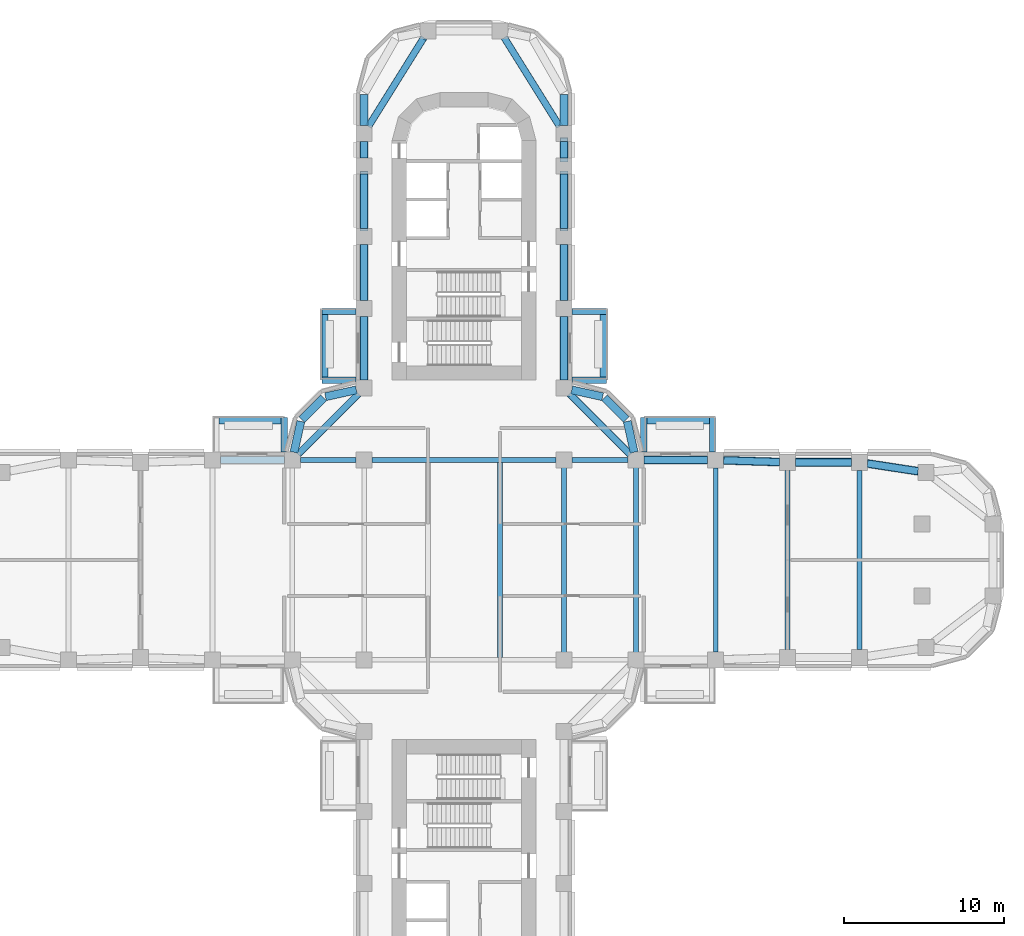
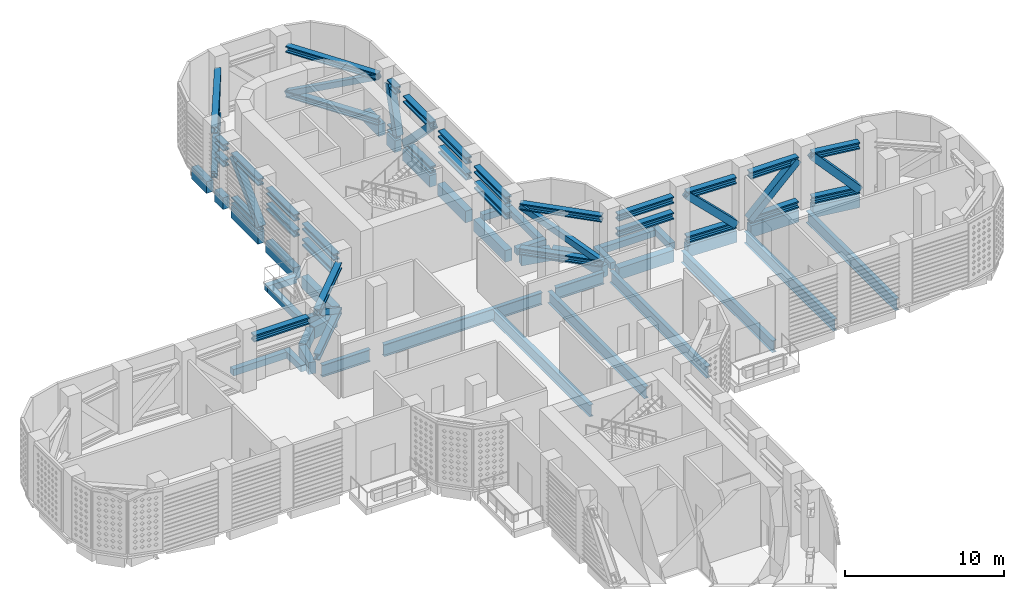
# One storey, part 3 of 20: 43 members, 40 beams.
"""IFC4 building model written with IfcOpenShell, lengths in metres."""

from ifc_helpers import new_model, si_unit, direction, frame, origin, origin_2d, place, context, subcontext, project, spatial, rectangle, hollow_rectangle, i_section, extrude, material, material_profile, profile_set, type_object, element, save


model = new_model("IFC4")

# Units and contexts
model_context = context("Model", 3, precision=1e-05, world=origin(), true_north=direction((0.0, 1.0)))
body_context = subcontext(model_context, "Body", "Model", "MODEL_VIEW")
ifc_project = project(units=[si_unit("LENGTHUNIT", "METRE"), si_unit("AREAUNIT", "SQUARE_METRE"), si_unit("VOLUMEUNIT", "CUBIC_METRE"), si_unit("PLANEANGLEUNIT", "RADIAN"), si_unit("MASSUNIT", "GRAM", prefix="KILO")], contexts=[model_context])

# Site, building, storey
site_placement = place(None, origin())
site = spatial("IfcSite", under=ifc_project, at=site_placement, CompositionType="ELEMENT")
building_placement = place(site_placement, origin())
building = spatial("IfcBuilding", under=site, at=building_placement, Name="Zarbagh Exchange Tower", CompositionType="ELEMENT")
storey_placement = place(building_placement, frame((0.0, 0.0, 81.60009765625)))
storey = spatial("IfcBuildingStorey", under=building, at=storey_placement, Name="L18", CompositionType="ELEMENT", Elevation=81.60009765625)

# Members
ifc_material_1 = material(Name="Steel ASTM A992 Gr 50", Category="steel")
ifc_material_profile_1 = material_profile(ifc_material_1, i_section(OverallWidth=0.4267578125, OverallDepth=0.482666015625, WebThickness=0.05126953125, FlangeThickness=0.08154296875, at=origin_2d()), Name="W14X455")
ifc_profile_set_1 = profile_set([ifc_material_profile_1], Name="Steel ASTM A992 Gr 50")
member_type_1 = type_object("IfcMemberType", Name="Belt truss chord W14X455", PredefinedType="CHORD", material=ifc_profile_set_1)
for number, where, z_axis, x_axis, name in (
    (1, (-10.396484375, 6.603515625, 0.2412109375), (0.707106781187, 0.707106781187, 0.0), (-0.707106781187, 0.707106781187, 0.0), "Belt truss chord"),
    (2, (-10.396484375, 6.603515625, 3.688720703125), (0.707106781187, 0.707106781187, 0.0), (-0.707106781187, 0.707106781187, 0.0), "Belt truss chord"),
):
    element("IfcMember", number, at=place(storey_placement, frame(where, z_axis=z_axis, x_axis=x_axis)), inside=storey, type_object=member_type_1, Name=name, PredefinedType="CHORD", context=body_context, shape_type="SweptSolid", body=[
        extrude(i_section(OverallWidth=0.4267578125, OverallDepth=0.482666015625, WebThickness=0.05126953125, FlangeThickness=0.08154296875, at=origin_2d()), origin(), (0.0, 0.0, 1.0), 5.364013671875),
    ])
for number, where, z_axis, x_axis, name in (
    (3, (-5.9853515625, 27.124267578125, 0.2412109375), (0.529423041445, 0.848357968777, 0.0), (-0.848357968777, 0.529423041445, 0.0), "Belt truss chord"),
    (4, (-5.9853515625, 27.124267578125, 3.688720703125), (0.529423041445, 0.848357968777, 0.0), (-0.848357968777, 0.529423041445, 0.0), "Belt truss chord"),
    (5, (2.5146484375, 32.685791015625, 0.2412109375), (0.529423041445, -0.848357968777, 0.0), (0.848357968777, 0.529423041445, 0.0), "Belt truss chord"),
    (6, (2.5146484375, 32.685791015625, 3.688720703125), (0.529423041445, -0.848357968777, 0.0), (0.848357968777, 0.529423041445, 0.0), "Belt truss chord"),
):
    element("IfcMember", number, at=place(storey_placement, frame(where, z_axis=z_axis, x_axis=x_axis)), inside=storey, type_object=member_type_1, Name=name, PredefinedType="CHORD", context=body_context, shape_type="SweptSolid", body=[
        extrude(i_section(OverallWidth=0.4267578125, OverallDepth=0.482666015625, WebThickness=0.05126953125, FlangeThickness=0.08154296875, at=origin_2d()), origin(), (0.0, 0.0, 1.0), 6.5556640625),
    ])
for number, where, z_axis, x_axis, name in (
    (7, (6.603515625, 10.396484375, 0.2412109375), (0.707106781187, -0.707106781187, 0.0), (0.707106781187, 0.707106781187, 0.0), "Belt truss chord"),
    (8, (6.603515625, 10.396484375, 3.688720703125), (0.707106781187, -0.707106781187, 0.0), (0.707106781187, 0.707106781187, 0.0), "Belt truss chord"),
):
    element("IfcMember", number, at=place(storey_placement, frame(where, z_axis=z_axis, x_axis=x_axis)), inside=storey, type_object=member_type_1, Name=name, PredefinedType="CHORD", context=body_context, shape_type="SweptSolid", body=[
        extrude(i_section(OverallWidth=0.4267578125, OverallDepth=0.482666015625, WebThickness=0.05126953125, FlangeThickness=0.08154296875, at=origin_2d()), origin(), (0.0, 0.0, 1.0), 5.364013671875),
    ])
ifc_material_2 = material(Name="Steel ASTM A500 Gr C", Category="steel")
ifc_material_profile_2 = material_profile(ifc_material_2, hollow_rectangle(XDim=0.406494140625, YDim=0.406494140625, WallThickness=0.017578125, at=origin_2d()), Name="HSS16X16X3/4")
ifc_profile_set_2 = profile_set([ifc_material_profile_2], Name="Steel ASTM A500 Gr C")
member_type_2 = type_object("IfcMemberType", Name="Belt truss diagonal HSS16X16X3/4", PredefinedType="BRACE", material=ifc_profile_set_2)
member_1_placement = place(storey_placement, frame((-6.603515625, 10.396484375, 0.2412109375), z_axis=(-0.594844341876, -0.594844341876, 0.540666642097), x_axis=(0.707106781187, -0.707106781187, 0.0)))
element("IfcMember", 9, at=member_1_placement, inside=storey, type_object=member_type_2, Name="Belt truss diagonal", PredefinedType="BRACE", context=body_context, shape_type="SweptSolid", body=[
    extrude(hollow_rectangle(XDim=0.406494140625, YDim=0.406494140625, WallThickness=0.017578125, at=origin_2d()), origin(), (0.0, 0.0, 1.0), 6.37646484375),
])
for number, where, z_axis, x_axis, name in (
    (10, (-5.9853515625, 27.124267578125, 0.2412109375), (0.468579243909, 0.750860662369, 0.465447911032), (-0.848357968777, 0.529423041445, 0.0), "Belt truss diagonal"),
    (11, (2.5146484375, 32.685791015625, 0.2412109375), (0.468579243909, -0.750860662369, 0.465447911032), (0.848357968777, 0.529423041445, 0.0), "Belt truss diagonal"),
):
    element("IfcMember", number, at=place(storey_placement, frame(where, z_axis=z_axis, x_axis=x_axis)), inside=storey, type_object=member_type_2, Name=name, PredefinedType="BRACE", context=body_context, shape_type="SweptSolid", body=[
        extrude(hollow_rectangle(XDim=0.406494140625, YDim=0.406494140625, WallThickness=0.017578125, at=origin_2d()), origin(), (0.0, 0.0, 1.0), 7.406982421875),
    ])
member_2_placement = place(storey_placement, frame((10.396484375, 6.603515625, 0.2412109375), z_axis=(-0.594844341876, 0.594844341876, 0.540666642097), x_axis=(-0.707106781187, -0.707106781187, 0.0)))
element("IfcMember", 12, at=member_2_placement, inside=storey, type_object=member_type_2, Name="Belt truss diagonal", PredefinedType="BRACE", context=body_context, shape_type="SweptSolid", body=[
    extrude(hollow_rectangle(XDim=0.406494140625, YDim=0.406494140625, WallThickness=0.017578125, at=origin_2d()), origin(), (0.0, 0.0, 1.0), 6.37646484375),
])

# Beams
ifc_material_profile_3 = material_profile(ifc_material_1, i_section(OverallWidth=0.3046875, OverallDepth=0.904296875, WebThickness=0.01513671875, FlangeThickness=0.02001953125, at=origin_2d()), Name="W36X135")
ifc_profile_set_3 = profile_set([ifc_material_profile_3], Name="Steel ASTM A992 Gr 50")
beam_type_1 = type_object("IfcBeamType", Name="Floor beam W36X135", PredefinedType="BEAM", material=ifc_profile_set_3)
for number, where, z_axis, x_axis, name in (
    (13, (2.25, -6.09765625, -0.602294921875), (0.0, 1.0, 0.0), (-1.0, 0.0, 0.0), "Steel floor beam"),
    (14, (6.25, -6.09765625, -0.602294921875), (0.0, 1.0, 0.0), (-1.0, 0.0, 0.0), "Steel floor beam"),
    (15, (10.75, -6.09765625, -0.602294921875), (0.0, 1.0, 0.0), (-1.0, 0.0, 0.0), "Steel floor beam"),
):
    element("IfcBeam", number, at=place(storey_placement, frame(where, z_axis=z_axis, x_axis=x_axis)), inside=storey, type_object=beam_type_1, Name=name, PredefinedType="BEAM", context=body_context, shape_type="SweptSolid", body=[
        extrude(i_section(OverallWidth=0.3046875, OverallDepth=0.904296875, WebThickness=0.01513671875, FlangeThickness=0.02001953125, at=origin_2d()), origin(), (0.0, 0.0, 1.0), 12.1953125),
    ])
beam_1_placement = place(storey_placement, frame((15.75, -5.75, -0.602294921875), z_axis=(0.0, 1.0, 0.0), x_axis=(-1.0, 0.0, 0.0)))
element("IfcBeam", 16, at=beam_1_placement, inside=storey, type_object=beam_type_1, Name="Steel floor beam", PredefinedType="BEAM", context=body_context, shape_type="SweptSolid", body=[
    extrude(i_section(OverallWidth=0.3046875, OverallDepth=0.904296875, WebThickness=0.01513671875, FlangeThickness=0.02001953125, at=origin_2d()), origin(), (0.0, 0.0, 1.0), 11.5),
])
for number, where, z_axis, x_axis, name in (
    (17, (20.25, -5.610107421875, -0.602294921875), (0.0, 1.0, 0.0), (-1.0, 0.0, 0.0), "Steel floor beam"),
    (18, (24.75, -5.610107421875, -0.602294921875), (0.0, 1.0, 0.0), (-1.0, 0.0, 0.0), "Steel floor beam"),
):
    element("IfcBeam", number, at=place(storey_placement, frame(where, z_axis=z_axis, x_axis=x_axis)), inside=storey, type_object=beam_type_1, Name=name, PredefinedType="BEAM", context=body_context, shape_type="SweptSolid", body=[
        extrude(i_section(OverallWidth=0.3046875, OverallDepth=0.904296875, WebThickness=0.01513671875, FlangeThickness=0.02001953125, at=origin_2d()), origin(), (0.0, 0.0, 1.0), 11.22021484375),
    ])
ifc_material_profile_4 = material_profile(ifc_material_1, i_section(OverallWidth=0.3046875, OverallDepth=0.91943359375, WebThickness=0.017333984375, FlangeThickness=0.02783203125, at=origin_2d()), Name="W36X170")
ifc_profile_set_4 = profile_set([ifc_material_profile_4], Name="Steel ASTM A992 Gr 50")
beam_type_2 = type_object("IfcBeamType", Name="Floor girder W36X170", PredefinedType="BEAM", material=ifc_profile_set_4)
beam_2_placement = place(storey_placement, frame((-10.25, 6.25, -0.60986328125), z_axis=(1.0, 0.0, 0.0), x_axis=(0.0, 1.0, 0.0)))
element("IfcBeam", 19, at=beam_2_placement, inside=storey, type_object=beam_type_2, Name="Steel girder", PredefinedType="BEAM", context=body_context, shape_type="SweptSolid", body=[
    extrude(i_section(OverallWidth=0.3046875, OverallDepth=0.91943359375, WebThickness=0.017333984375, FlangeThickness=0.02783203125, at=origin_2d()), origin(), (0.0, 0.0, 1.0), 3.5),
])
beam_3_placement = place(storey_placement, frame((-5.75, 6.25, -0.60986328125), z_axis=(1.0, 0.0, 0.0), x_axis=(0.0, 1.0, 0.0)))
element("IfcBeam", 20, at=beam_3_placement, inside=storey, type_object=beam_type_2, Name="Steel girder", PredefinedType="BEAM", context=body_context, shape_type="SweptSolid", body=[
    extrude(i_section(OverallWidth=0.3046875, OverallDepth=0.91943359375, WebThickness=0.017333984375, FlangeThickness=0.02783203125, at=origin_2d()), origin(), (0.0, 0.0, 1.0), 11.5),
])
beam_4_placement = place(storey_placement, frame((6.75, 6.25, -0.60986328125), z_axis=(1.0, 0.0, 0.0), x_axis=(0.0, 1.0, 0.0)))
element("IfcBeam", 21, at=beam_4_placement, inside=storey, type_object=beam_type_2, Name="Steel girder", PredefinedType="BEAM", context=body_context, shape_type="SweptSolid", body=[
    extrude(i_section(OverallWidth=0.3046875, OverallDepth=0.91943359375, WebThickness=0.017333984375, FlangeThickness=0.02783203125, at=origin_2d()), origin(), (0.0, 0.0, 1.0), 3.5),
])

# Members
ifc_material_profile_5 = material_profile(ifc_material_1, i_section(OverallWidth=0.43701171875, OverallDepth=0.51318359375, WebThickness=0.060546875, FlangeThickness=0.096923828125, at=origin_2d()), Name="W14X550")
ifc_profile_set_5 = profile_set([ifc_material_profile_5], Name="Steel ASTM A992 Gr 50")
member_type_3 = type_object("IfcMemberType", Name="Outrigger truss chord W14X550", PredefinedType="CHORD", material=ifc_profile_set_5)
for number, where, z_axis, x_axis, name in (
    (22, (-15.25, 6.25, 3.67333984375), (1.0, 0.0, 0.0), (0.0, 1.0, 0.0), "Outrigger truss chord"),
    (23, (-6.25, 11.25, 2.45654296875), (0.0, 1.0, 0.0), (-1.0, 0.0, 0.0), "Outrigger truss chord"),
    (24, (-6.25, 11.25, 3.67333984375), (0.0, 1.0, 0.0), (-1.0, 0.0, 0.0), "Outrigger truss chord"),
):
    element("IfcMember", number, at=place(storey_placement, frame(where, z_axis=z_axis, x_axis=x_axis)), inside=storey, type_object=member_type_3, Name=name, PredefinedType="CHORD", context=body_context, shape_type="SweptSolid", body=[
        extrude(i_section(OverallWidth=0.43701171875, OverallDepth=0.51318359375, WebThickness=0.060546875, FlangeThickness=0.096923828125, at=origin_2d()), origin(), (0.0, 0.0, 1.0), 4.0),
    ])
for number, where, z_axis, x_axis, name in (
    (25, (-6.25, 16.25, 2.45654296875), (0.0, 1.0, 0.0), (-1.0, 0.0, 0.0), "Outrigger truss chord"),
    (26, (-6.25, 16.25, 3.67333984375), (0.0, 1.0, 0.0), (-1.0, 0.0, 0.0), "Outrigger truss chord"),
):
    element("IfcMember", number, at=place(storey_placement, frame(where, z_axis=z_axis, x_axis=x_axis)), inside=storey, type_object=member_type_3, Name=name, PredefinedType="CHORD", context=body_context, shape_type="SweptSolid", body=[
        extrude(i_section(OverallWidth=0.43701171875, OverallDepth=0.51318359375, WebThickness=0.060546875, FlangeThickness=0.096923828125, at=origin_2d()), origin(), (0.0, 0.0, 1.0), 3.5),
    ])
for number, where, z_axis, x_axis, name in (
    (27, (-6.25, 20.75, 0.256591796875), (0.0, 1.0, 0.0), (-1.0, 0.0, 0.0), "Outrigger truss chord"),
    (28, (-6.25, 20.75, 3.67333984375), (0.0, 1.0, 0.0), (-1.0, 0.0, 0.0), "Outrigger truss chord"),
):
    element("IfcMember", number, at=place(storey_placement, frame(where, z_axis=z_axis, x_axis=x_axis)), inside=storey, type_object=member_type_3, Name=name, PredefinedType="CHORD", context=body_context, shape_type="SweptSolid", body=[
        extrude(i_section(OverallWidth=0.43701171875, OverallDepth=0.51318359375, WebThickness=0.060546875, FlangeThickness=0.096923828125, at=origin_2d()), origin(), (0.0, 0.0, 1.0), 3.39990234375),
    ])
for number, where, z_axis, x_axis, name in (
    (29, (-6.25, 25.14990234375, 2.45654296875), (0.0, 1.0, 0.0), (-1.0, 0.0, 0.0), "Outrigger truss chord"),
    (30, (-6.25, 25.14990234375, 3.67333984375), (0.0, 1.0, 0.0), (-1.0, 0.0, 0.0), "Outrigger truss chord"),
    (31, (6.25, 26.199951171875, 0.256591796875), (0.0, -1.0, 0.0), (1.0, 0.0, 0.0), "Outrigger truss chord"),
    (32, (6.25, 26.199951171875, 3.67333984375), (0.0, -1.0, 0.0), (1.0, 0.0, 0.0), "Outrigger truss chord"),
):
    element("IfcMember", number, at=place(storey_placement, frame(where, z_axis=z_axis, x_axis=x_axis)), inside=storey, type_object=member_type_3, Name=name, PredefinedType="CHORD", context=body_context, shape_type="SweptSolid", body=[
        extrude(i_section(OverallWidth=0.43701171875, OverallDepth=0.51318359375, WebThickness=0.060546875, FlangeThickness=0.096923828125, at=origin_2d()), origin(), (0.0, 0.0, 1.0), 1.050048828125),
    ])
for number, where, z_axis, x_axis, name in (
    (33, (6.25, 24.14990234375, 0.256591796875), (0.0, -1.0, 0.0), (1.0, 0.0, 0.0), "Outrigger truss chord"),
    (34, (6.25, 24.14990234375, 3.67333984375), (0.0, -1.0, 0.0), (1.0, 0.0, 0.0), "Outrigger truss chord"),
):
    element("IfcMember", number, at=place(storey_placement, frame(where, z_axis=z_axis, x_axis=x_axis)), inside=storey, type_object=member_type_3, Name=name, PredefinedType="CHORD", context=body_context, shape_type="SweptSolid", body=[
        extrude(i_section(OverallWidth=0.43701171875, OverallDepth=0.51318359375, WebThickness=0.060546875, FlangeThickness=0.096923828125, at=origin_2d()), origin(), (0.0, 0.0, 1.0), 3.39990234375),
    ])
for number, where, z_axis, x_axis, name in (
    (35, (6.25, 19.75, 2.45654296875), (0.0, -1.0, 0.0), (1.0, 0.0, 0.0), "Outrigger truss chord"),
    (36, (6.25, 19.75, 3.67333984375), (0.0, -1.0, 0.0), (1.0, 0.0, 0.0), "Outrigger truss chord"),
):
    element("IfcMember", number, at=place(storey_placement, frame(where, z_axis=z_axis, x_axis=x_axis)), inside=storey, type_object=member_type_3, Name=name, PredefinedType="CHORD", context=body_context, shape_type="SweptSolid", body=[
        extrude(i_section(OverallWidth=0.43701171875, OverallDepth=0.51318359375, WebThickness=0.060546875, FlangeThickness=0.096923828125, at=origin_2d()), origin(), (0.0, 0.0, 1.0), 3.5),
    ])
for number, where, z_axis, x_axis, name in (
    (37, (6.25, 15.25, 2.45654296875), (0.0, -1.0, 0.0), (1.0, 0.0, 0.0), "Outrigger truss chord"),
    (38, (6.25, 15.25, 3.67333984375), (0.0, -1.0, 0.0), (1.0, 0.0, 0.0), "Outrigger truss chord"),
    (39, (11.25, 6.25, 2.45654296875), (1.0, 0.0, 0.0), (0.0, 1.0, 0.0), "Outrigger truss chord"),
    (40, (11.25, 6.25, 3.67333984375), (1.0, 0.0, 0.0), (0.0, 1.0, 0.0), "Outrigger truss chord"),
):
    element("IfcMember", number, at=place(storey_placement, frame(where, z_axis=z_axis, x_axis=x_axis)), inside=storey, type_object=member_type_3, Name=name, PredefinedType="CHORD", context=body_context, shape_type="SweptSolid", body=[
        extrude(i_section(OverallWidth=0.43701171875, OverallDepth=0.51318359375, WebThickness=0.060546875, FlangeThickness=0.096923828125, at=origin_2d()), origin(), (0.0, 0.0, 1.0), 4.0),
    ])
for number, where, z_axis, x_axis, name in (
    (41, (16.249755859375, 6.234619140625, 0.256591796875), (0.999514385708, -0.031160756759, 0.0), (0.031160756759, 0.999514385708, 0.0), "Outrigger truss chord"),
    (42, (16.249755859375, 6.234619140625, 3.67333984375), (0.999514385708, -0.031160756759, 0.0), (0.031160756759, 0.999514385708, 0.0), "Outrigger truss chord"),
):
    element("IfcMember", number, at=place(storey_placement, frame(where, z_axis=z_axis, x_axis=x_axis)), inside=storey, type_object=member_type_3, Name=name, PredefinedType="CHORD", context=body_context, shape_type="SweptSolid", body=[
        extrude(i_section(OverallWidth=0.43701171875, OverallDepth=0.51318359375, WebThickness=0.060546875, FlangeThickness=0.096923828125, at=origin_2d()), origin(), (0.0, 0.0, 1.0), 3.502197265625),
    ])
for number, where, z_axis, x_axis, name in (
    (43, (20.75, 6.110107421875, 0.256591796875), (1.0, 0.0, 0.0), (0.0, 1.0, 0.0), "Outrigger truss chord"),
    (44, (20.75, 6.110107421875, 3.67333984375), (1.0, 0.0, 0.0), (0.0, 1.0, 0.0), "Outrigger truss chord"),
):
    element("IfcMember", number, at=place(storey_placement, frame(where, z_axis=z_axis, x_axis=x_axis)), inside=storey, type_object=member_type_3, Name=name, PredefinedType="CHORD", context=body_context, shape_type="SweptSolid", body=[
        extrude(i_section(OverallWidth=0.43701171875, OverallDepth=0.51318359375, WebThickness=0.060546875, FlangeThickness=0.096923828125, at=origin_2d()), origin(), (0.0, 0.0, 1.0), 3.5),
    ])
for number, where, z_axis, x_axis, name in (
    (45, (25.244384765625, 6.034423828125, 0.256591796875), (0.988545350976, -0.150924116903, 0.0), (0.150924116903, 0.988545350976, 0.0), "Outrigger truss chord"),
    (46, (25.244384765625, 6.034423828125, 3.67333984375), (0.988545350976, -0.150924116903, 0.0), (0.150924116903, 0.988545350976, 0.0), "Outrigger truss chord"),
):
    element("IfcMember", number, at=place(storey_placement, frame(where, z_axis=z_axis, x_axis=x_axis)), inside=storey, type_object=member_type_3, Name=name, PredefinedType="CHORD", context=body_context, shape_type="SweptSolid", body=[
        extrude(i_section(OverallWidth=0.43701171875, OverallDepth=0.51318359375, WebThickness=0.060546875, FlangeThickness=0.096923828125, at=origin_2d()), origin(), (0.0, 0.0, 1.0), 3.2060546875),
    ])
ifc_material_3 = material(Name="Steel ASTM A1085 Grade A", Category="steel")
ifc_material_profile_6 = material_profile(ifc_material_3, hollow_rectangle(XDim=0.508056640625, YDim=0.508056640625, WallThickness=0.025390625, at=origin_2d()), Name="HSS20X20X1")
ifc_profile_set_6 = profile_set([ifc_material_profile_6], Name="Steel ASTM A1085 Grade A")
member_type_4 = type_object("IfcMemberType", Name="Outrigger truss diagonal HSS20X20X1", PredefinedType="BRACE", material=ifc_profile_set_6)
member_3_placement = place(storey_placement, frame((-6.25, 20.75, 0.256591796875), z_axis=(0.0, 0.705357183914, 0.708852060095), x_axis=(-1.0, 0.0, 0.0)))
element("IfcMember", 47, at=member_3_placement, inside=storey, type_object=member_type_4, Name="Outrigger truss diagonal", PredefinedType="BRACE", context=body_context, shape_type="SweptSolid", body=[
    extrude(hollow_rectangle(XDim=0.508056640625, YDim=0.508056640625, WallThickness=0.025390625, at=origin_2d()), origin(), (0.0, 0.0, 1.0), 4.820068359375),
])
member_4_placement = place(storey_placement, frame((6.25, 25.14990234375, 0.256591796875), z_axis=(0.0, 0.293764261883, 0.955877899337), x_axis=(-1.0, 0.0, 0.0)))
element("IfcMember", 48, at=member_4_placement, inside=storey, type_object=member_type_4, Name="Outrigger truss diagonal", PredefinedType="BRACE", context=body_context, shape_type="SweptSolid", body=[
    extrude(hollow_rectangle(XDim=0.508056640625, YDim=0.508056640625, WallThickness=0.025390625, at=origin_2d()), origin(), (0.0, 0.0, 1.0), 3.574462890625),
])
member_5_placement = place(storey_placement, frame((6.25, 24.14990234375, 0.256591796875), z_axis=(0.0, -0.705357183914, 0.708852060095), x_axis=(1.0, 0.0, 0.0)))
element("IfcMember", 49, at=member_5_placement, inside=storey, type_object=member_type_4, Name="Outrigger truss diagonal", PredefinedType="BRACE", context=body_context, shape_type="SweptSolid", body=[
    extrude(hollow_rectangle(XDim=0.508056640625, YDim=0.508056640625, WallThickness=0.025390625, at=origin_2d()), origin(), (0.0, 0.0, 1.0), 4.820068359375),
])
member_6_placement = place(storey_placement, frame((19.750244140625, 6.12548828125, 0.256591796875), z_axis=(-0.715436570593, 0.022304376277, 0.698321579401), x_axis=(-0.031160756759, -0.999514385708, 0.0)))
element("IfcMember", 50, at=member_6_placement, inside=storey, type_object=member_type_4, Name="Outrigger truss diagonal", PredefinedType="BRACE", context=body_context, shape_type="SweptSolid", body=[
    extrude(hollow_rectangle(XDim=0.508056640625, YDim=0.508056640625, WallThickness=0.025390625, at=origin_2d()), origin(), (0.0, 0.0, 1.0), 4.892822265625),
])
member_7_placement = place(storey_placement, frame((20.75, 6.110107421875, 0.256591796875), z_axis=(0.715565889259, 0.0, 0.698545244153), x_axis=(0.0, 1.0, 0.0)))
element("IfcMember", 51, at=member_7_placement, inside=storey, type_object=member_type_4, Name="Outrigger truss diagonal", PredefinedType="BRACE", context=body_context, shape_type="SweptSolid", body=[
    extrude(hollow_rectangle(XDim=0.508056640625, YDim=0.508056640625, WallThickness=0.025390625, at=origin_2d()), origin(), (0.0, 0.0, 1.0), 4.89111328125),
])
member_8_placement = place(storey_placement, frame((28.413818359375, 5.550537109375, 0.256591796875), z_axis=(-0.676438872604, 0.103273905831, 0.729222155453), x_axis=(-0.150924116903, -0.988545350976, 0.0)))
element("IfcMember", 52, at=member_8_placement, inside=storey, type_object=member_type_4, Name="Outrigger truss diagonal", PredefinedType="BRACE", context=body_context, shape_type="SweptSolid", body=[
    extrude(hollow_rectangle(XDim=0.508056640625, YDim=0.508056640625, WallThickness=0.025390625, at=origin_2d()), origin(), (0.0, 0.0, 1.0), 4.685546875),
])

# Beams
ifc_material_4 = material(Name="Concrete C40/50", Category="concrete")
ifc_material_profile_7 = material_profile(ifc_material_4, rectangle(XDim=0.39990234375, YDim=0.5, at=origin_2d()), Name="RC bay edge beam 400 x 500 C40/50")
ifc_profile_set_7 = profile_set([ifc_material_profile_7], Name="Concrete C40/50")
beam_type_3 = type_object("IfcBeamType", Name="RC bay edge beam 400 x 500 C40/50", PredefinedType="BEAM", material=ifc_profile_set_7)
for number, where, z_axis, x_axis, name in (
    (53, (8.699951171875, 11.449951171875, -0.400146484375), (0.0, 1.0, 0.0), (-1.0, 0.0, 0.0), "RC bay edge beam"),
    (54, (11.449951171875, 8.699951171875, -0.400146484375), (1.0, 0.0, 0.0), (0.0, 1.0, 0.0), "RC bay edge beam"),
    (55, (-8.699951171875, 11.449951171875, -0.400146484375), (0.0, 1.0, 0.0), (-1.0, 0.0, 0.0), "RC bay edge beam"),
    (56, (-15.35009765625, 8.699951171875, -0.400146484375), (1.0, 0.0, 0.0), (0.0, 1.0, 0.0), "RC bay edge beam"),
):
    element("IfcBeam", number, at=place(storey_placement, frame(where, z_axis=z_axis, x_axis=x_axis)), inside=storey, type_object=beam_type_3, Name=name, PredefinedType="BEAM", context=body_context, shape_type="SweptSolid", body=[
        extrude(rectangle(XDim=0.39990234375, YDim=0.5, at=origin_2d()), origin(), (0.0, 0.0, 1.0), 3.900146484375),
    ])
ifc_material_profile_8 = material_profile(ifc_material_4, rectangle(XDim=0.39990234375, YDim=0.5, at=origin_2d()), Name="RC cantilever beam 400 x 500 C40/50")
ifc_profile_set_8 = profile_set([ifc_material_profile_8], Name="Concrete C40/50")
beam_type_4 = type_object("IfcBeamType", Name="RC cantilever beam 400 x 500 C40/50", PredefinedType="BEAM", material=ifc_profile_set_8)
for number, where, z_axis, x_axis, name in (
    (57, (6.75, 11.25, -0.400146484375), (1.0, 0.0, 0.0), (0.0, 1.0, 0.0), "RC cantilever beam"),
    (58, (6.75, 15.550048828125, -0.400146484375), (1.0, 0.0, 0.0), (0.0, 1.0, 0.0), "RC cantilever beam"),
    (59, (11.25, 6.75, -0.400146484375), (0.0, 1.0, 0.0), (-1.0, 0.0, 0.0), "RC cantilever beam"),
    (60, (15.550048828125, 6.75, -0.400146484375), (0.0, 1.0, 0.0), (-1.0, 0.0, 0.0), "RC cantilever beam"),
    (61, (-6.75, 11.25, -0.400146484375), (-1.0, 0.0, 0.0), (0.0, -1.0, 0.0), "RC cantilever beam"),
    (62, (-6.75, 15.550048828125, -0.400146484375), (-1.0, 0.0, 0.0), (0.0, -1.0, 0.0), "RC cantilever beam"),
    (63, (-11.25, 6.75, -0.400146484375), (0.0, 1.0, 0.0), (-1.0, 0.0, 0.0), "RC cantilever beam"),
):
    element("IfcBeam", number, at=place(storey_placement, frame(where, z_axis=z_axis, x_axis=x_axis)), inside=storey, type_object=beam_type_4, Name=name, PredefinedType="BEAM", context=body_context, shape_type="SweptSolid", body=[
        extrude(rectangle(XDim=0.39990234375, YDim=0.5, at=origin_2d()), origin(), (0.0, 0.0, 1.0), 2.14990234375),
    ])
ifc_material_5 = material(Name="Concrete C60/75", Category="concrete")
ifc_material_profile_9 = material_profile(ifc_material_5, rectangle(XDim=0.5, YDim=0.89990234375, at=origin_2d()), Name="RC spandrel beam 500 x 900 C60/75")
ifc_profile_set_9 = profile_set([ifc_material_profile_9], Name="Concrete C60/75")
beam_type_5 = type_object("IfcBeamType", Name="RC spandrel beam 500 x 900 C60/75", PredefinedType="SPANDREL", material=ifc_profile_set_9)
beam_5_placement = place(storey_placement, frame((-10.64208984375, 6.73828125, -0.60009765625), z_axis=(0.216081063242, 0.976375426825, 0.0), x_axis=(-0.976375426825, 0.216081063242, 0.0)))
element("IfcBeam", 64, at=beam_5_placement, inside=storey, type_object=beam_type_5, Name="RC spandrel beam", PredefinedType="SPANDREL", context=body_context, shape_type="SweptSolid", body=[
    extrude(rectangle(XDim=0.5, YDim=0.89990234375, at=origin_2d()), origin(), (0.0, 0.0, 1.0), 1.978271484375),
])
beam_6_placement = place(storey_placement, frame((-10.147216796875, 8.792724609375, -0.60009765625), z_axis=(0.707106781187, 0.707106781187, 0.0), x_axis=(-0.707106781187, 0.707106781187, 0.0)))
element("IfcBeam", 65, at=beam_6_placement, inside=storey, type_object=beam_type_5, Name="RC spandrel beam", PredefinedType="SPANDREL", context=body_context, shape_type="SweptSolid", body=[
    extrude(rectangle(XDim=0.5, YDim=0.89990234375, at=origin_2d()), origin(), (0.0, 0.0, 1.0), 1.91552734375),
])
beam_7_placement = place(storey_placement, frame((-8.669921875, 10.214599609375, -0.60009765625), z_axis=(0.976375426825, 0.216081063242, 0.0), x_axis=(-0.216081063242, 0.976375426825, 0.0)))
element("IfcBeam", 66, at=beam_7_placement, inside=storey, type_object=beam_type_5, Name="RC spandrel beam", PredefinedType="SPANDREL", context=body_context, shape_type="SweptSolid", body=[
    extrude(rectangle(XDim=0.5, YDim=0.89990234375, at=origin_2d()), origin(), (0.0, 0.0, 1.0), 1.978271484375),
])
beam_8_placement = place(storey_placement, frame((-6.25, 11.25, -0.60009765625), z_axis=(0.0, 1.0, 0.0), x_axis=(-1.0, 0.0, 0.0)))
element("IfcBeam", 67, at=beam_8_placement, inside=storey, type_object=beam_type_5, Name="RC spandrel beam", PredefinedType="SPANDREL", context=body_context, shape_type="SweptSolid", body=[
    extrude(rectangle(XDim=0.5, YDim=0.89990234375, at=origin_2d()), origin(), (0.0, 0.0, 1.0), 4.0),
])
beam_9_placement = place(storey_placement, frame((-6.25, 16.25, -0.60009765625), z_axis=(0.0, 1.0, 0.0), x_axis=(-1.0, 0.0, 0.0)))
element("IfcBeam", 68, at=beam_9_placement, inside=storey, type_object=beam_type_5, Name="RC spandrel beam", PredefinedType="SPANDREL", context=body_context, shape_type="SweptSolid", body=[
    extrude(rectangle(XDim=0.5, YDim=0.89990234375, at=origin_2d()), origin(), (0.0, 0.0, 1.0), 3.5),
])
beam_10_placement = place(storey_placement, frame((-6.25, 20.75, -0.60009765625), z_axis=(0.0, 1.0, 0.0), x_axis=(-1.0, 0.0, 0.0)))
element("IfcBeam", 69, at=beam_10_placement, inside=storey, type_object=beam_type_5, Name="RC spandrel beam", PredefinedType="SPANDREL", context=body_context, shape_type="SweptSolid", body=[
    extrude(rectangle(XDim=0.5, YDim=0.89990234375, at=origin_2d()), origin(), (0.0, 0.0, 1.0), 3.39990234375),
])
beam_11_placement = place(storey_placement, frame((-6.25, 25.14990234375, -0.60009765625), z_axis=(0.0, 1.0, 0.0), x_axis=(-1.0, 0.0, 0.0)))
element("IfcBeam", 70, at=beam_11_placement, inside=storey, type_object=beam_type_5, Name="RC spandrel beam", PredefinedType="SPANDREL", context=body_context, shape_type="SweptSolid", body=[
    extrude(rectangle(XDim=0.5, YDim=0.89990234375, at=origin_2d()), origin(), (0.0, 0.0, 1.0), 1.050048828125),
])
for number, where, z_axis, x_axis, name in (
    (71, (-6.25, 27.199951171875, -0.60009765625), (0.0, 1.0, 0.0), (-1.0, 0.0, 0.0), "RC spandrel beam"),
    (72, (6.25, 29.117919921875, -0.60009765625), (0.0, -1.0, 0.0), (1.0, 0.0, 0.0), "RC spandrel beam"),
):
    element("IfcBeam", number, at=place(storey_placement, frame(where, z_axis=z_axis, x_axis=x_axis)), inside=storey, type_object=beam_type_5, Name=name, PredefinedType="SPANDREL", context=body_context, shape_type="SweptSolid", body=[
        extrude(rectangle(XDim=0.5, YDim=0.89990234375, at=origin_2d()), origin(), (0.0, 0.0, 1.0), 1.91796875),
    ])
beam_12_placement = place(storey_placement, frame((6.25, 26.199951171875, -0.60009765625), z_axis=(0.0, -1.0, 0.0), x_axis=(1.0, 0.0, 0.0)))
element("IfcBeam", 73, at=beam_12_placement, inside=storey, type_object=beam_type_5, Name="RC spandrel beam", PredefinedType="SPANDREL", context=body_context, shape_type="SweptSolid", body=[
    extrude(rectangle(XDim=0.5, YDim=0.89990234375, at=origin_2d()), origin(), (0.0, 0.0, 1.0), 1.050048828125),
])
beam_13_placement = place(storey_placement, frame((6.25, 24.14990234375, -0.60009765625), z_axis=(0.0, -1.0, 0.0), x_axis=(1.0, 0.0, 0.0)))
element("IfcBeam", 74, at=beam_13_placement, inside=storey, type_object=beam_type_5, Name="RC spandrel beam", PredefinedType="SPANDREL", context=body_context, shape_type="SweptSolid", body=[
    extrude(rectangle(XDim=0.5, YDim=0.89990234375, at=origin_2d()), origin(), (0.0, 0.0, 1.0), 3.39990234375),
])
beam_14_placement = place(storey_placement, frame((6.25, 19.75, -0.60009765625), z_axis=(0.0, -1.0, 0.0), x_axis=(1.0, 0.0, 0.0)))
element("IfcBeam", 75, at=beam_14_placement, inside=storey, type_object=beam_type_5, Name="RC spandrel beam", PredefinedType="SPANDREL", context=body_context, shape_type="SweptSolid", body=[
    extrude(rectangle(XDim=0.5, YDim=0.89990234375, at=origin_2d()), origin(), (0.0, 0.0, 1.0), 3.5),
])
beam_15_placement = place(storey_placement, frame((6.25, 15.25, -0.60009765625), z_axis=(0.0, -1.0, 0.0), x_axis=(1.0, 0.0, 0.0)))
element("IfcBeam", 76, at=beam_15_placement, inside=storey, type_object=beam_type_5, Name="RC spandrel beam", PredefinedType="SPANDREL", context=body_context, shape_type="SweptSolid", body=[
    extrude(rectangle(XDim=0.5, YDim=0.89990234375, at=origin_2d()), origin(), (0.0, 0.0, 1.0), 4.0),
])
beam_16_placement = place(storey_placement, frame((6.73828125, 10.64208984375, -0.60009765625), z_axis=(0.976375426825, -0.216081063242, 0.0), x_axis=(0.216081063242, 0.976375426825, 0.0)))
element("IfcBeam", 77, at=beam_16_placement, inside=storey, type_object=beam_type_5, Name="RC spandrel beam", PredefinedType="SPANDREL", context=body_context, shape_type="SweptSolid", body=[
    extrude(rectangle(XDim=0.5, YDim=0.89990234375, at=origin_2d()), origin(), (0.0, 0.0, 1.0), 1.978271484375),
])
beam_17_placement = place(storey_placement, frame((8.792724609375, 10.147216796875, -0.60009765625), z_axis=(0.707106781187, -0.707106781187, 0.0), x_axis=(0.707106781187, 0.707106781187, 0.0)))
element("IfcBeam", 78, at=beam_17_placement, inside=storey, type_object=beam_type_5, Name="RC spandrel beam", PredefinedType="SPANDREL", context=body_context, shape_type="SweptSolid", body=[
    extrude(rectangle(XDim=0.5, YDim=0.89990234375, at=origin_2d()), origin(), (0.0, 0.0, 1.0), 1.91552734375),
])
beam_18_placement = place(storey_placement, frame((10.214599609375, 8.669921875, -0.60009765625), z_axis=(0.216081063242, -0.976375426825, 0.0), x_axis=(0.976375426825, 0.216081063242, 0.0)))
element("IfcBeam", 79, at=beam_18_placement, inside=storey, type_object=beam_type_5, Name="RC spandrel beam", PredefinedType="SPANDREL", context=body_context, shape_type="SweptSolid", body=[
    extrude(rectangle(XDim=0.5, YDim=0.89990234375, at=origin_2d()), origin(), (0.0, 0.0, 1.0), 1.978271484375),
])
beam_19_placement = place(storey_placement, frame((11.25, 6.25, -0.60009765625), z_axis=(1.0, 0.0, 0.0), x_axis=(0.0, 1.0, 0.0)))
element("IfcBeam", 80, at=beam_19_placement, inside=storey, type_object=beam_type_5, Name="RC spandrel beam", PredefinedType="SPANDREL", context=body_context, shape_type="SweptSolid", body=[
    extrude(rectangle(XDim=0.5, YDim=0.89990234375, at=origin_2d()), origin(), (0.0, 0.0, 1.0), 4.0),
])
beam_20_placement = place(storey_placement, frame((16.249755859375, 6.234619140625, -0.60009765625), z_axis=(0.999514385708, -0.031160756759, 0.0), x_axis=(0.031160756759, 0.999514385708, 0.0)))
element("IfcBeam", 81, at=beam_20_placement, inside=storey, type_object=beam_type_5, Name="RC spandrel beam", PredefinedType="SPANDREL", context=body_context, shape_type="SweptSolid", body=[
    extrude(rectangle(XDim=0.5, YDim=0.89990234375, at=origin_2d()), origin(), (0.0, 0.0, 1.0), 3.502197265625),
])
beam_21_placement = place(storey_placement, frame((20.75, 6.110107421875, -0.60009765625), z_axis=(1.0, 0.0, 0.0), x_axis=(0.0, 1.0, 0.0)))
element("IfcBeam", 82, at=beam_21_placement, inside=storey, type_object=beam_type_5, Name="RC spandrel beam", PredefinedType="SPANDREL", context=body_context, shape_type="SweptSolid", body=[
    extrude(rectangle(XDim=0.5, YDim=0.89990234375, at=origin_2d()), origin(), (0.0, 0.0, 1.0), 3.5),
])
beam_22_placement = place(storey_placement, frame((25.244384765625, 6.034423828125, -0.60009765625), z_axis=(0.988545350976, -0.150924116903, 0.0), x_axis=(0.150924116903, 0.988545350976, 0.0)))
element("IfcBeam", 83, at=beam_22_placement, inside=storey, type_object=beam_type_5, Name="RC spandrel beam", PredefinedType="SPANDREL", context=body_context, shape_type="SweptSolid", body=[
    extrude(rectangle(XDim=0.5, YDim=0.89990234375, at=origin_2d()), origin(), (0.0, 0.0, 1.0), 3.2060546875),
])

save(model, "model.ifc")
